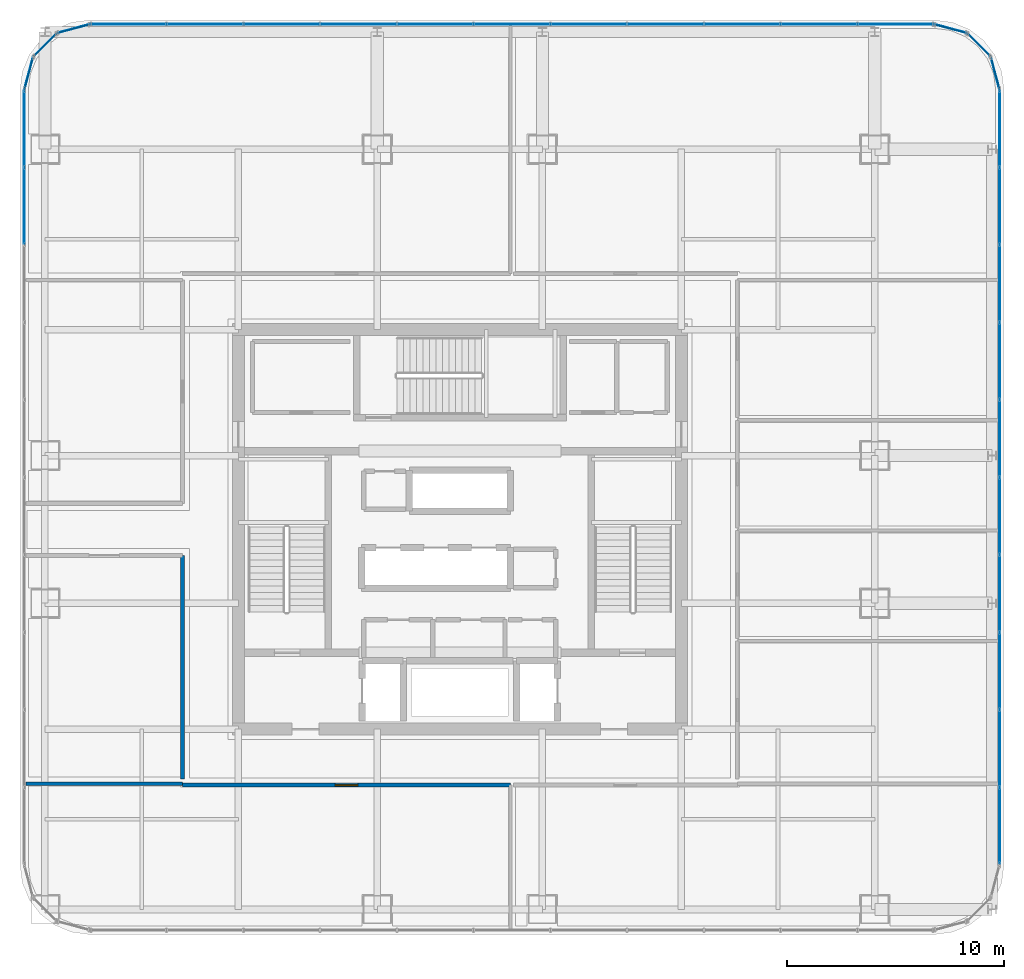
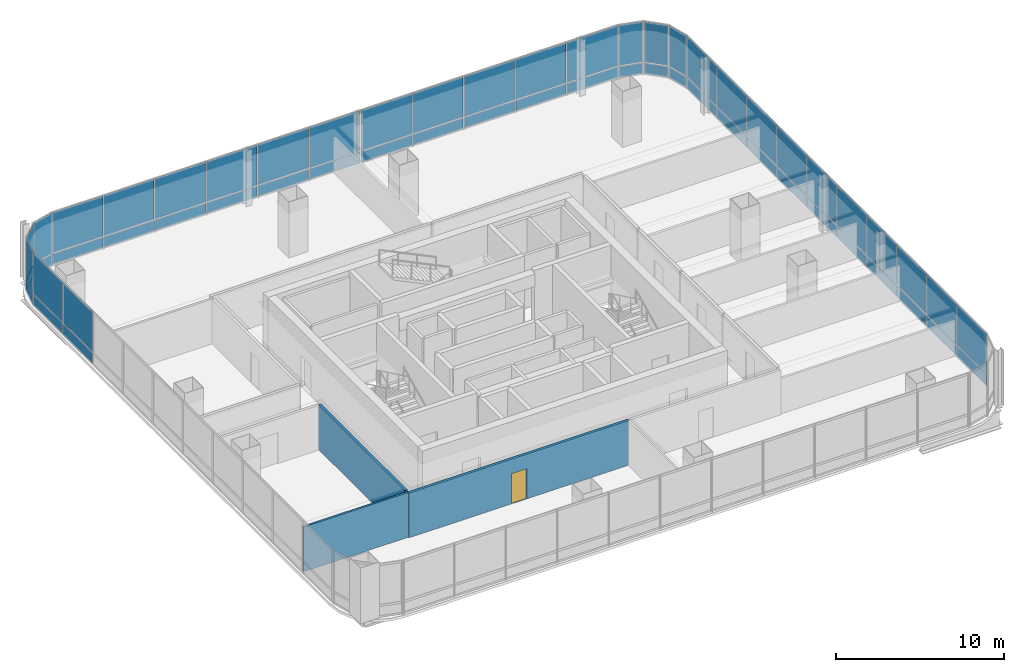
# One storey, part 32 of 39: 58 plates, 3 walls, 1 door, 1 opening, 9 elements without a shape of their own.
"""IFC4 building model written with IfcOpenShell, lengths in metres."""

from ifc_helpers import new_model, si_unit, direction, frame, frame_2d, origin, origin_2d, place, context, subcontext, project, spatial, rectangle, extrude, material, layer, layer_set, type_object, element, fill, aggregate, save


model = new_model("IFC4")

# Units and contexts
model_context = context("Model", 3, precision=1e-05, world=origin(), true_north=direction((0.0, 1.0)))
body_context = subcontext(model_context, "Body", "Model", "MODEL_VIEW")
ifc_project = project(units=[si_unit("LENGTHUNIT", "METRE"), si_unit("AREAUNIT", "SQUARE_METRE"), si_unit("VOLUMEUNIT", "CUBIC_METRE"), si_unit("PLANEANGLEUNIT", "RADIAN"), si_unit("MASSUNIT", "GRAM", prefix="KILO")], contexts=[model_context])

# Site, building, storey
site_placement = place(None, origin())
site = spatial("IfcSite", under=ifc_project, at=site_placement, CompositionType="ELEMENT")
building_placement = place(site_placement, origin())
building = spatial("IfcBuilding", under=site, at=building_placement, Name="Punatoya Terracotta Tower", CompositionType="ELEMENT")
storey_placement = place(building_placement, frame((0.0, 0.0, 275.699951171875)))
storey = spatial("IfcBuildingStorey", under=building, at=storey_placement, Name="L65", CompositionType="ELEMENT", Elevation=275.699951171875)

# Curtain wall, plates
ifc_material_1 = material(Name="Aluminium 6063-T6 + Double Low-E Glass", Category="aluminium")
curtain_wall_type = type_object("IfcCurtainWallType", Name="CW-M3", PredefinedType="NOTDEFINED", material=ifc_material_1)
curtain_wall_1_placement = place(storey_placement, origin())
curtain_wall_1 = element("IfcCurtainWall", 1, at=curtain_wall_1_placement, inside=storey, type_object=curtain_wall_type, Name="L65 Curtain Wall CW-L65-E05-1", PredefinedType="NOTDEFINED")
ifc_material_2 = material(Name="Double Low-E Acoustic Vision Glass", Category="glass")
ifc_layer_1 = layer(ifc_material_2, 0.031982421875)
ifc_layer_set_1 = layer_set([ifc_layer_1], Name="Double Low-E Acoustic Vision Glass")
plate_type_1 = type_object("IfcPlateType", Name="PLT-GLZ-32", PredefinedType="CURTAIN_PANEL", material=ifc_layer_set_1)
plate_1_placement = place(storey_placement, frame((24.85009765625, -13.6533203125, 0.89013671875), z_axis=(0.0, 0.0, 1.0), x_axis=(0.0, 1.0, 0.0)))
plate_1 = element("IfcPlate", 2, at=plate_1_placement, type_object=plate_type_1, Name="CW-L65-E05-1 Vision Glass Panel 1", PredefinedType="CURTAIN_PANEL", context=body_context, shape_type="SweptSolid", body=[
    extrude(rectangle(XDim=3.482421875, YDim=0.031982421875, at=origin_2d()), origin(), (0.0, 0.0, 1.0), 2.919921875),
])
plate_2_placement = place(storey_placement, frame((24.85009765625, -10.085693359375, 0.89013671875), z_axis=(0.0, 0.0, 1.0), x_axis=(0.0, 1.0, 0.0)))
plate_2 = element("IfcPlate", 3, at=plate_2_placement, type_object=plate_type_1, Name="CW-L65-E05-1 Vision Glass Panel 2", PredefinedType="CURTAIN_PANEL", context=body_context, shape_type="SweptSolid", body=[
    extrude(rectangle(XDim=3.482421875, YDim=0.031982421875, at=origin_2d()), origin(), (0.0, 0.0, 1.0), 2.919921875),
])
plate_3_placement = place(storey_placement, frame((24.85009765625, -6.518310546875, 0.89013671875), z_axis=(0.0, 0.0, 1.0), x_axis=(0.0, 1.0, 0.0)))
plate_3 = element("IfcPlate", 4, at=plate_3_placement, type_object=plate_type_1, Name="CW-L65-E05-1 Vision Glass Panel 3", PredefinedType="CURTAIN_PANEL", context=body_context, shape_type="SweptSolid", body=[
    extrude(rectangle(XDim=3.482421875, YDim=0.031982421875, at=origin_2d()), origin(), (0.0, 0.0, 1.0), 2.919921875),
])
plate_4_placement = place(storey_placement, frame((24.85009765625, -2.951171875, 0.89013671875), z_axis=(0.0, 0.0, 1.0), x_axis=(0.0, 1.0, 0.0)))
plate_4 = element("IfcPlate", 5, at=plate_4_placement, type_object=plate_type_1, Name="CW-L65-E05-1 Vision Glass Panel 4", PredefinedType="CURTAIN_PANEL", context=body_context, shape_type="SweptSolid", body=[
    extrude(rectangle(XDim=3.482421875, YDim=0.031982421875, at=origin_2d()), origin(), (0.0, 0.0, 1.0), 2.919921875),
])
plate_5_placement = place(storey_placement, frame((24.85009765625, 0.6162109375, 0.89013671875), z_axis=(0.0, 0.0, 1.0), x_axis=(0.0, 1.0, 0.0)))
plate_5 = element("IfcPlate", 6, at=plate_5_placement, type_object=plate_type_1, Name="CW-L65-E05-1 Vision Glass Panel 5", PredefinedType="CURTAIN_PANEL", context=body_context, shape_type="SweptSolid", body=[
    extrude(rectangle(XDim=3.482421875, YDim=0.031982421875, at=origin_2d()), origin(), (0.0, 0.0, 1.0), 2.919921875),
])
plate_6_placement = place(storey_placement, frame((24.85009765625, 4.18359375, 0.89013671875), z_axis=(0.0, 0.0, 1.0), x_axis=(0.0, 1.0, 0.0)))
plate_6 = element("IfcPlate", 7, at=plate_6_placement, type_object=plate_type_1, Name="CW-L65-E05-1 Vision Glass Panel 6", PredefinedType="CURTAIN_PANEL", context=body_context, shape_type="SweptSolid", body=[
    extrude(rectangle(XDim=3.482421875, YDim=0.031982421875, at=origin_2d()), origin(), (0.0, 0.0, 1.0), 2.919921875),
])
plate_7_placement = place(storey_placement, frame((24.85009765625, 7.751220703125, 0.89013671875), z_axis=(0.0, 0.0, 1.0), x_axis=(0.0, 1.0, 0.0)))
plate_7 = element("IfcPlate", 8, at=plate_7_placement, type_object=plate_type_1, Name="CW-L65-E05-1 Vision Glass Panel 7", PredefinedType="CURTAIN_PANEL", context=body_context, shape_type="SweptSolid", body=[
    extrude(rectangle(XDim=3.482421875, YDim=0.031982421875, at=origin_2d()), origin(), (0.0, 0.0, 1.0), 2.919921875),
])
plate_8_placement = place(storey_placement, frame((24.85009765625, 11.318359375, 0.89013671875), z_axis=(0.0, 0.0, 1.0), x_axis=(0.0, 1.0, 0.0)))
plate_8 = element("IfcPlate", 9, at=plate_8_placement, type_object=plate_type_1, Name="CW-L65-E05-1 Vision Glass Panel 8", PredefinedType="CURTAIN_PANEL", context=body_context, shape_type="SweptSolid", body=[
    extrude(rectangle(XDim=3.482421875, YDim=0.031982421875, at=origin_2d()), origin(), (0.0, 0.0, 1.0), 2.919921875),
])
plate_9_placement = place(storey_placement, frame((24.85009765625, 14.8857421875, 0.89013671875), z_axis=(0.0, 0.0, 1.0), x_axis=(0.0, 1.0, 0.0)))
plate_9 = element("IfcPlate", 10, at=plate_9_placement, type_object=plate_type_1, Name="CW-L65-E05-1 Vision Glass Panel 9", PredefinedType="CURTAIN_PANEL", context=body_context, shape_type="SweptSolid", body=[
    extrude(rectangle(XDim=3.482421875, YDim=0.031982421875, at=origin_2d()), origin(), (0.0, 0.0, 1.0), 2.919921875),
])
plate_10_placement = place(storey_placement, frame((24.85009765625, 18.453125, 0.89013671875), z_axis=(0.0, 0.0, 1.0), x_axis=(0.0, 1.0, 0.0)))
plate_10 = element("IfcPlate", 11, at=plate_10_placement, type_object=plate_type_1, Name="CW-L65-E05-1 Vision Glass Panel 10", PredefinedType="CURTAIN_PANEL", context=body_context, shape_type="SweptSolid", body=[
    extrude(rectangle(XDim=3.482421875, YDim=0.031982421875, at=origin_2d()), origin(), (0.0, 0.0, 1.0), 2.919921875),
])

# Curtain wall, plate
curtain_wall_2_placement = place(storey_placement, origin())
curtain_wall_2 = element("IfcCurtainWall", 12, at=curtain_wall_2_placement, inside=storey, type_object=curtain_wall_type, Name="L65 Curtain Wall CW-L65-CRN06", PredefinedType="NOTDEFINED")
plate_11_placement = place(storey_placement, frame((24.648193359375, 20.992919921875, 0.89013671875), z_axis=(0.0, 0.0, 1.0), x_axis=(-0.257741620719, 0.966213877436, 0.0)))
plate_11 = element("IfcPlate", 13, at=plate_11_placement, type_object=plate_type_1, Name="CW-L65-CRN06 Vision Glass Panel 1", PredefinedType="CURTAIN_PANEL", context=body_context, shape_type="SweptSolid", body=[
    extrude(rectangle(XDim=1.47998046875, YDim=0.031982421875, at=origin_2d()), origin(), (0.0, 0.0, 1.0), 2.919921875),
])

curtain_wall_3_placement = place(storey_placement, origin())
curtain_wall_3 = element("IfcCurtainWall", 14, at=curtain_wall_3_placement, inside=storey, type_object=curtain_wall_type, Name="L65 Curtain Wall CW-L65-CRN07", PredefinedType="NOTDEFINED")
plate_12_placement = place(storey_placement, frame((23.89794921875, 22.2978515625, 0.89013671875), z_axis=(0.0, 0.0, 1.0), x_axis=(-0.707106781187, 0.707106781187, 0.0)))
plate_12 = element("IfcPlate", 15, at=plate_12_placement, type_object=plate_type_1, Name="CW-L65-CRN07 Vision Glass Panel 1", PredefinedType="CURTAIN_PANEL", context=body_context, shape_type="SweptSolid", body=[
    extrude(rectangle(XDim=1.467041015625, YDim=0.031982421875, at=origin_2d()), origin(), (0.0, 0.0, 1.0), 2.919921875),
])

curtain_wall_4_placement = place(storey_placement, origin())
curtain_wall_4 = element("IfcCurtainWall", 16, at=curtain_wall_4_placement, inside=storey, type_object=curtain_wall_type, Name="L65 Curtain Wall CW-L65-CRN08", PredefinedType="NOTDEFINED")
plate_13_placement = place(storey_placement, frame((22.593017578125, 23.04833984375, 0.89013671875), z_axis=(0.0, 0.0, 1.0), x_axis=(-0.966213877436, 0.257741620719, 0.0)))
plate_13 = element("IfcPlate", 17, at=plate_13_placement, type_object=plate_type_1, Name="CW-L65-CRN08 Vision Glass Panel 1", PredefinedType="CURTAIN_PANEL", context=body_context, shape_type="SweptSolid", body=[
    extrude(rectangle(XDim=1.47998046875, YDim=0.031982421875, at=origin_2d()), origin(), (0.0, 0.0, 1.0), 2.919921875),
])

# Curtain wall, plates
curtain_wall_5_placement = place(storey_placement, origin())
curtain_wall_5 = element("IfcCurtainWall", 18, at=curtain_wall_5_placement, inside=storey, type_object=curtain_wall_type, Name="L65 Curtain Wall CW-L65-N09-1", PredefinedType="NOTDEFINED")
plate_14_placement = place(storey_placement, frame((20.06982421875, 23.25, 0.89013671875), z_axis=(0.0, 0.0, 1.0), x_axis=(-1.0, 0.0, 0.0)))
plate_14 = element("IfcPlate", 19, at=plate_14_placement, type_object=plate_type_1, Name="CW-L65-N09-1 Vision Glass Panel 1", PredefinedType="CURTAIN_PANEL", context=body_context, shape_type="SweptSolid", body=[
    extrude(rectangle(XDim=3.448974609375, YDim=0.031982421875, at=origin_2d()), origin(), (0.0, 0.0, 1.0), 2.919921875),
])
plate_15_placement = place(storey_placement, frame((16.535888671875, 23.25, 0.89013671875), z_axis=(0.0, 0.0, 1.0), x_axis=(-1.0, 0.0, 0.0)))
plate_15 = element("IfcPlate", 20, at=plate_15_placement, type_object=plate_type_1, Name="CW-L65-N09-1 Vision Glass Panel 2", PredefinedType="CURTAIN_PANEL", context=body_context, shape_type="SweptSolid", body=[
    extrude(rectangle(XDim=3.448974609375, YDim=0.031982421875, at=origin_2d()), origin(), (0.0, 0.0, 1.0), 2.919921875),
])
plate_16_placement = place(storey_placement, frame((13.001953125, 23.25, 0.89013671875), z_axis=(0.0, 0.0, 1.0), x_axis=(-1.0, 0.0, 0.0)))
plate_16 = element("IfcPlate", 21, at=plate_16_placement, type_object=plate_type_1, Name="CW-L65-N09-1 Vision Glass Panel 3", PredefinedType="CURTAIN_PANEL", context=body_context, shape_type="SweptSolid", body=[
    extrude(rectangle(XDim=3.448974609375, YDim=0.031982421875, at=origin_2d()), origin(), (0.0, 0.0, 1.0), 2.919921875),
])
plate_17_placement = place(storey_placement, frame((9.468017578125, 23.25, 0.89013671875), z_axis=(0.0, 0.0, 1.0), x_axis=(-1.0, 0.0, 0.0)))
plate_17 = element("IfcPlate", 22, at=plate_17_placement, type_object=plate_type_1, Name="CW-L65-N09-1 Vision Glass Panel 4", PredefinedType="CURTAIN_PANEL", context=body_context, shape_type="SweptSolid", body=[
    extrude(rectangle(XDim=3.448974609375, YDim=0.031982421875, at=origin_2d()), origin(), (0.0, 0.0, 1.0), 2.919921875),
])
plate_18_placement = place(storey_placement, frame((5.93408203125, 23.25, 0.89013671875), z_axis=(0.0, 0.0, 1.0), x_axis=(-1.0, 0.0, 0.0)))
plate_18 = element("IfcPlate", 23, at=plate_18_placement, type_object=plate_type_1, Name="CW-L65-N09-1 Vision Glass Panel 5", PredefinedType="CURTAIN_PANEL", context=body_context, shape_type="SweptSolid", body=[
    extrude(rectangle(XDim=3.448974609375, YDim=0.031982421875, at=origin_2d()), origin(), (0.0, 0.0, 1.0), 2.919921875),
])
plate_19_placement = place(storey_placement, frame((2.39990234375, 23.25, 0.89013671875), z_axis=(0.0, 0.0, 1.0), x_axis=(-1.0, 0.0, 0.0)))
plate_19 = element("IfcPlate", 24, at=plate_19_placement, type_object=plate_type_1, Name="CW-L65-N09-1 Vision Glass Panel 6", PredefinedType="CURTAIN_PANEL", context=body_context, shape_type="SweptSolid", body=[
    extrude(rectangle(XDim=3.448974609375, YDim=0.031982421875, at=origin_2d()), origin(), (0.0, 0.0, 1.0), 2.919921875),
])
plate_20_placement = place(storey_placement, frame((-1.134033203125, 23.25, 0.89013671875), z_axis=(0.0, 0.0, 1.0), x_axis=(-1.0, 0.0, 0.0)))
plate_20 = element("IfcPlate", 25, at=plate_20_placement, type_object=plate_type_1, Name="CW-L65-N09-1 Vision Glass Panel 7", PredefinedType="CURTAIN_PANEL", context=body_context, shape_type="SweptSolid", body=[
    extrude(rectangle(XDim=3.448974609375, YDim=0.031982421875, at=origin_2d()), origin(), (0.0, 0.0, 1.0), 2.919921875),
])
plate_21_placement = place(storey_placement, frame((-4.66796875, 23.25, 0.89013671875), z_axis=(0.0, 0.0, 1.0), x_axis=(-1.0, 0.0, 0.0)))
plate_21 = element("IfcPlate", 26, at=plate_21_placement, type_object=plate_type_1, Name="CW-L65-N09-1 Vision Glass Panel 8", PredefinedType="CURTAIN_PANEL", context=body_context, shape_type="SweptSolid", body=[
    extrude(rectangle(XDim=3.448974609375, YDim=0.031982421875, at=origin_2d()), origin(), (0.0, 0.0, 1.0), 2.919921875),
])
plate_22_placement = place(storey_placement, frame((-8.201904296875, 23.25, 0.89013671875), z_axis=(0.0, 0.0, 1.0), x_axis=(-1.0, 0.0, 0.0)))
plate_22 = element("IfcPlate", 27, at=plate_22_placement, type_object=plate_type_1, Name="CW-L65-N09-1 Vision Glass Panel 9", PredefinedType="CURTAIN_PANEL", context=body_context, shape_type="SweptSolid", body=[
    extrude(rectangle(XDim=3.448974609375, YDim=0.031982421875, at=origin_2d()), origin(), (0.0, 0.0, 1.0), 2.919921875),
])
plate_23_placement = place(storey_placement, frame((-11.73583984375, 23.25, 0.89013671875), z_axis=(0.0, 0.0, 1.0), x_axis=(-1.0, 0.0, 0.0)))
plate_23 = element("IfcPlate", 28, at=plate_23_placement, type_object=plate_type_1, Name="CW-L65-N09-1 Vision Glass Panel 10", PredefinedType="CURTAIN_PANEL", context=body_context, shape_type="SweptSolid", body=[
    extrude(rectangle(XDim=3.448974609375, YDim=0.031982421875, at=origin_2d()), origin(), (0.0, 0.0, 1.0), 2.919921875),
])
plate_24_placement = place(storey_placement, frame((-15.27001953125, 23.25, 0.89013671875), z_axis=(0.0, 0.0, 1.0), x_axis=(-1.0, 0.0, 0.0)))
plate_24 = element("IfcPlate", 29, at=plate_24_placement, type_object=plate_type_1, Name="CW-L65-N09-1 Vision Glass Panel 11", PredefinedType="CURTAIN_PANEL", context=body_context, shape_type="SweptSolid", body=[
    extrude(rectangle(XDim=3.448974609375, YDim=0.031982421875, at=origin_2d()), origin(), (0.0, 0.0, 1.0), 2.919921875),
])

# Curtain wall, plate
curtain_wall_6_placement = place(storey_placement, origin())
curtain_wall_6 = element("IfcCurtainWall", 30, at=curtain_wall_6_placement, inside=storey, type_object=curtain_wall_type, Name="L65 Curtain Wall CW-L65-CRN10", PredefinedType="NOTDEFINED")
plate_25_placement = place(storey_placement, frame((-17.79296875, 23.04833984375, 0.89013671875), z_axis=(0.0, 0.0, 1.0), x_axis=(-0.966213877436, -0.257741620719, 0.0)))
plate_25 = element("IfcPlate", 31, at=plate_25_placement, type_object=plate_type_1, Name="CW-L65-CRN10 Vision Glass Panel 1", PredefinedType="CURTAIN_PANEL", context=body_context, shape_type="SweptSolid", body=[
    extrude(rectangle(XDim=1.47998046875, YDim=0.031982421875, at=origin_2d()), origin(), (0.0, 0.0, 1.0), 2.919921875),
])

curtain_wall_7_placement = place(storey_placement, origin())
curtain_wall_7 = element("IfcCurtainWall", 32, at=curtain_wall_7_placement, inside=storey, type_object=curtain_wall_type, Name="L65 Curtain Wall CW-L65-CRN11", PredefinedType="NOTDEFINED")
plate_26_placement = place(storey_placement, frame((-19.097900390625, 22.2978515625, 0.89013671875), z_axis=(0.0, 0.0, 1.0), x_axis=(-0.707106781187, -0.707106781187, 0.0)))
plate_26 = element("IfcPlate", 33, at=plate_26_placement, type_object=plate_type_1, Name="CW-L65-CRN11 Vision Glass Panel 1", PredefinedType="CURTAIN_PANEL", context=body_context, shape_type="SweptSolid", body=[
    extrude(rectangle(XDim=1.467041015625, YDim=0.031982421875, at=origin_2d()), origin(), (0.0, 0.0, 1.0), 2.919921875),
])

curtain_wall_8_placement = place(storey_placement, origin())
curtain_wall_8 = element("IfcCurtainWall", 34, at=curtain_wall_8_placement, inside=storey, type_object=curtain_wall_type, Name="L65 Curtain Wall CW-L65-CRN12", PredefinedType="NOTDEFINED")
plate_27_placement = place(storey_placement, frame((-19.848388671875, 20.992919921875, 0.89013671875), z_axis=(0.0, 0.0, 1.0), x_axis=(-0.257741620719, -0.966213877436, 0.0)))
plate_27 = element("IfcPlate", 35, at=plate_27_placement, type_object=plate_type_1, Name="CW-L65-CRN12 Vision Glass Panel 1", PredefinedType="CURTAIN_PANEL", context=body_context, shape_type="SweptSolid", body=[
    extrude(rectangle(XDim=1.47998046875, YDim=0.031982421875, at=origin_2d()), origin(), (0.0, 0.0, 1.0), 2.919921875),
])

# Curtain wall, plates
curtain_wall_9_placement = place(storey_placement, origin())
curtain_wall_9 = element("IfcCurtainWall", 36, at=curtain_wall_9_placement, inside=storey, type_object=curtain_wall_type, Name="L65 Curtain Wall CW-L65-W13-1", PredefinedType="NOTDEFINED")
plate_28_placement = place(storey_placement, frame((-20.050048828125, 18.453125, 0.89013671875), z_axis=(0.0, 0.0, 1.0), x_axis=(0.0, -1.0, 0.0)))
plate_28 = element("IfcPlate", 37, at=plate_28_placement, type_object=plate_type_1, Name="CW-L65-W13-1 Vision Glass Panel 1", PredefinedType="CURTAIN_PANEL", context=body_context, shape_type="SweptSolid", body=[
    extrude(rectangle(XDim=3.482421875, YDim=0.031982421875, at=origin_2d()), origin(), (0.0, 0.0, 1.0), 2.919921875),
])
plate_29_placement = place(storey_placement, frame((-20.050048828125, 14.8857421875, 0.89013671875), z_axis=(0.0, 0.0, 1.0), x_axis=(0.0, -1.0, 0.0)))
plate_29 = element("IfcPlate", 38, at=plate_29_placement, type_object=plate_type_1, Name="CW-L65-W13-1 Vision Glass Panel 2", PredefinedType="CURTAIN_PANEL", context=body_context, shape_type="SweptSolid", body=[
    extrude(rectangle(XDim=3.482421875, YDim=0.031982421875, at=origin_2d()), origin(), (0.0, 0.0, 1.0), 2.919921875),
])

# Plate
ifc_material_3 = material(Name="Insulated Terracotta-Backed Spandrel Panel", Category="masonry")
ifc_layer_2 = layer(ifc_material_3, 0.044921875)
ifc_layer_set_2 = layer_set([ifc_layer_2], Name="Insulated Terracotta-Backed Spandrel Panel")
plate_type_2 = type_object("IfcPlateType", Name="PLT-SPN-45", PredefinedType="CURTAIN_PANEL", material=ifc_layer_set_2)
plate_30_placement = place(storey_placement, frame((24.85009765625, -13.6533203125, 0.0400390625), z_axis=(0.0, 0.0, 1.0), x_axis=(0.0, 1.0, 0.0)))
plate_30 = element("IfcPlate", 39, at=plate_30_placement, type_object=plate_type_2, Name="CW-L65-E05-1 Terracotta Spandrel Panel 1", PredefinedType="CURTAIN_PANEL", context=body_context, shape_type="SweptSolid", body=[
    extrude(rectangle(XDim=3.482421875, YDim=0.044921875, at=origin_2d()), origin(), (0.0, 0.0, 1.0), 0.77490234375),
])

plate_31_placement = place(storey_placement, frame((24.85009765625, -10.085693359375, 0.0400390625), z_axis=(0.0, 0.0, 1.0), x_axis=(0.0, 1.0, 0.0)))
plate_31 = element("IfcPlate", 40, at=plate_31_placement, type_object=plate_type_2, Name="CW-L65-E05-1 Terracotta Spandrel Panel 2", PredefinedType="CURTAIN_PANEL", context=body_context, shape_type="SweptSolid", body=[
    extrude(rectangle(XDim=3.482421875, YDim=0.044921875, at=origin_2d()), origin(), (0.0, 0.0, 1.0), 0.77490234375),
])

plate_32_placement = place(storey_placement, frame((24.85009765625, -6.518310546875, 0.0400390625), z_axis=(0.0, 0.0, 1.0), x_axis=(0.0, 1.0, 0.0)))
plate_32 = element("IfcPlate", 41, at=plate_32_placement, type_object=plate_type_2, Name="CW-L65-E05-1 Terracotta Spandrel Panel 3", PredefinedType="CURTAIN_PANEL", context=body_context, shape_type="SweptSolid", body=[
    extrude(rectangle(XDim=3.482421875, YDim=0.044921875, at=origin_2d()), origin(), (0.0, 0.0, 1.0), 0.77490234375),
])

plate_33_placement = place(storey_placement, frame((24.85009765625, -2.951171875, 0.0400390625), z_axis=(0.0, 0.0, 1.0), x_axis=(0.0, 1.0, 0.0)))
plate_33 = element("IfcPlate", 42, at=plate_33_placement, type_object=plate_type_2, Name="CW-L65-E05-1 Terracotta Spandrel Panel 4", PredefinedType="CURTAIN_PANEL", context=body_context, shape_type="SweptSolid", body=[
    extrude(rectangle(XDim=3.482421875, YDim=0.044921875, at=origin_2d()), origin(), (0.0, 0.0, 1.0), 0.77490234375),
])

plate_34_placement = place(storey_placement, frame((24.85009765625, 0.6162109375, 0.0400390625), z_axis=(0.0, 0.0, 1.0), x_axis=(0.0, 1.0, 0.0)))
plate_34 = element("IfcPlate", 43, at=plate_34_placement, type_object=plate_type_2, Name="CW-L65-E05-1 Terracotta Spandrel Panel 5", PredefinedType="CURTAIN_PANEL", context=body_context, shape_type="SweptSolid", body=[
    extrude(rectangle(XDim=3.482421875, YDim=0.044921875, at=origin_2d()), origin(), (0.0, 0.0, 1.0), 0.77490234375),
])

plate_35_placement = place(storey_placement, frame((24.85009765625, 4.18359375, 0.0400390625), z_axis=(0.0, 0.0, 1.0), x_axis=(0.0, 1.0, 0.0)))
plate_35 = element("IfcPlate", 44, at=plate_35_placement, type_object=plate_type_2, Name="CW-L65-E05-1 Terracotta Spandrel Panel 6", PredefinedType="CURTAIN_PANEL", context=body_context, shape_type="SweptSolid", body=[
    extrude(rectangle(XDim=3.482421875, YDim=0.044921875, at=origin_2d()), origin(), (0.0, 0.0, 1.0), 0.77490234375),
])

plate_36_placement = place(storey_placement, frame((24.85009765625, 7.751220703125, 0.0400390625), z_axis=(0.0, 0.0, 1.0), x_axis=(0.0, 1.0, 0.0)))
plate_36 = element("IfcPlate", 45, at=plate_36_placement, type_object=plate_type_2, Name="CW-L65-E05-1 Terracotta Spandrel Panel 7", PredefinedType="CURTAIN_PANEL", context=body_context, shape_type="SweptSolid", body=[
    extrude(rectangle(XDim=3.482421875, YDim=0.044921875, at=origin_2d()), origin(), (0.0, 0.0, 1.0), 0.77490234375),
])

plate_37_placement = place(storey_placement, frame((24.85009765625, 11.318359375, 0.0400390625), z_axis=(0.0, 0.0, 1.0), x_axis=(0.0, 1.0, 0.0)))
plate_37 = element("IfcPlate", 46, at=plate_37_placement, type_object=plate_type_2, Name="CW-L65-E05-1 Terracotta Spandrel Panel 8", PredefinedType="CURTAIN_PANEL", context=body_context, shape_type="SweptSolid", body=[
    extrude(rectangle(XDim=3.482421875, YDim=0.044921875, at=origin_2d()), origin(), (0.0, 0.0, 1.0), 0.77490234375),
])

plate_38_placement = place(storey_placement, frame((24.85009765625, 14.8857421875, 0.0400390625), z_axis=(0.0, 0.0, 1.0), x_axis=(0.0, 1.0, 0.0)))
plate_38 = element("IfcPlate", 47, at=plate_38_placement, type_object=plate_type_2, Name="CW-L65-E05-1 Terracotta Spandrel Panel 9", PredefinedType="CURTAIN_PANEL", context=body_context, shape_type="SweptSolid", body=[
    extrude(rectangle(XDim=3.482421875, YDim=0.044921875, at=origin_2d()), origin(), (0.0, 0.0, 1.0), 0.77490234375),
])

plate_39_placement = place(storey_placement, frame((24.85009765625, 18.453125, 0.0400390625), z_axis=(0.0, 0.0, 1.0), x_axis=(0.0, 1.0, 0.0)))
plate_39 = element("IfcPlate", 48, at=plate_39_placement, type_object=plate_type_2, Name="CW-L65-E05-1 Terracotta Spandrel Panel 10", PredefinedType="CURTAIN_PANEL", context=body_context, shape_type="SweptSolid", body=[
    extrude(rectangle(XDim=3.482421875, YDim=0.044921875, at=origin_2d()), origin(), (0.0, 0.0, 1.0), 0.77490234375),
])

aggregate(curtain_wall_1, [plate_30, plate_1, plate_31, plate_2, plate_32, plate_3, plate_33, plate_4, plate_34, plate_5, plate_35, plate_6, plate_36, plate_7, plate_37, plate_8, plate_38, plate_9, plate_39, plate_10])

plate_40_placement = place(storey_placement, frame((24.648193359375, 20.992919921875, 0.0400390625), z_axis=(0.0, 0.0, 1.0), x_axis=(-0.257741620719, 0.966213877436, 0.0)))
plate_40 = element("IfcPlate", 49, at=plate_40_placement, type_object=plate_type_2, Name="CW-L65-CRN06 Terracotta Spandrel Panel 1", PredefinedType="CURTAIN_PANEL", context=body_context, shape_type="SweptSolid", body=[
    extrude(rectangle(XDim=1.47998046875, YDim=0.044921875, at=origin_2d()), origin(), (0.0, 0.0, 1.0), 0.77490234375),
])

aggregate(curtain_wall_2, [plate_40, plate_11])

plate_41_placement = place(storey_placement, frame((23.89794921875, 22.2978515625, 0.0400390625), z_axis=(0.0, 0.0, 1.0), x_axis=(-0.707106781187, 0.707106781187, 0.0)))
plate_41 = element("IfcPlate", 50, at=plate_41_placement, type_object=plate_type_2, Name="CW-L65-CRN07 Terracotta Spandrel Panel 1", PredefinedType="CURTAIN_PANEL", context=body_context, shape_type="SweptSolid", body=[
    extrude(rectangle(XDim=1.467041015625, YDim=0.044921875, at=origin_2d()), origin(), (0.0, 0.0, 1.0), 0.77490234375),
])

aggregate(curtain_wall_3, [plate_41, plate_12])

plate_42_placement = place(storey_placement, frame((22.593017578125, 23.04833984375, 0.0400390625), z_axis=(0.0, 0.0, 1.0), x_axis=(-0.966213877436, 0.257741620719, 0.0)))
plate_42 = element("IfcPlate", 51, at=plate_42_placement, type_object=plate_type_2, Name="CW-L65-CRN08 Terracotta Spandrel Panel 1", PredefinedType="CURTAIN_PANEL", context=body_context, shape_type="SweptSolid", body=[
    extrude(rectangle(XDim=1.47998046875, YDim=0.044921875, at=origin_2d()), origin(), (0.0, 0.0, 1.0), 0.77490234375),
])

aggregate(curtain_wall_4, [plate_42, plate_13])

plate_43_placement = place(storey_placement, frame((20.06982421875, 23.25, 0.0400390625), z_axis=(0.0, 0.0, 1.0), x_axis=(-1.0, 0.0, 0.0)))
plate_43 = element("IfcPlate", 52, at=plate_43_placement, type_object=plate_type_2, Name="CW-L65-N09-1 Terracotta Spandrel Panel 1", PredefinedType="CURTAIN_PANEL", context=body_context, shape_type="SweptSolid", body=[
    extrude(rectangle(XDim=3.448974609375, YDim=0.044921875, at=origin_2d()), origin(), (0.0, 0.0, 1.0), 0.77490234375),
])

plate_44_placement = place(storey_placement, frame((16.535888671875, 23.25, 0.0400390625), z_axis=(0.0, 0.0, 1.0), x_axis=(-1.0, 0.0, 0.0)))
plate_44 = element("IfcPlate", 53, at=plate_44_placement, type_object=plate_type_2, Name="CW-L65-N09-1 Terracotta Spandrel Panel 2", PredefinedType="CURTAIN_PANEL", context=body_context, shape_type="SweptSolid", body=[
    extrude(rectangle(XDim=3.448974609375, YDim=0.044921875, at=origin_2d()), origin(), (0.0, 0.0, 1.0), 0.77490234375),
])

plate_45_placement = place(storey_placement, frame((13.001953125, 23.25, 0.0400390625), z_axis=(0.0, 0.0, 1.0), x_axis=(-1.0, 0.0, 0.0)))
plate_45 = element("IfcPlate", 54, at=plate_45_placement, type_object=plate_type_2, Name="CW-L65-N09-1 Terracotta Spandrel Panel 3", PredefinedType="CURTAIN_PANEL", context=body_context, shape_type="SweptSolid", body=[
    extrude(rectangle(XDim=3.448974609375, YDim=0.044921875, at=origin_2d()), origin(), (0.0, 0.0, 1.0), 0.77490234375),
])

plate_46_placement = place(storey_placement, frame((9.468017578125, 23.25, 0.0400390625), z_axis=(0.0, 0.0, 1.0), x_axis=(-1.0, 0.0, 0.0)))
plate_46 = element("IfcPlate", 55, at=plate_46_placement, type_object=plate_type_2, Name="CW-L65-N09-1 Terracotta Spandrel Panel 4", PredefinedType="CURTAIN_PANEL", context=body_context, shape_type="SweptSolid", body=[
    extrude(rectangle(XDim=3.448974609375, YDim=0.044921875, at=origin_2d()), origin(), (0.0, 0.0, 1.0), 0.77490234375),
])

plate_47_placement = place(storey_placement, frame((5.93408203125, 23.25, 0.0400390625), z_axis=(0.0, 0.0, 1.0), x_axis=(-1.0, 0.0, 0.0)))
plate_47 = element("IfcPlate", 56, at=plate_47_placement, type_object=plate_type_2, Name="CW-L65-N09-1 Terracotta Spandrel Panel 5", PredefinedType="CURTAIN_PANEL", context=body_context, shape_type="SweptSolid", body=[
    extrude(rectangle(XDim=3.448974609375, YDim=0.044921875, at=origin_2d()), origin(), (0.0, 0.0, 1.0), 0.77490234375),
])

plate_48_placement = place(storey_placement, frame((2.39990234375, 23.25, 0.0400390625), z_axis=(0.0, 0.0, 1.0), x_axis=(-1.0, 0.0, 0.0)))
plate_48 = element("IfcPlate", 57, at=plate_48_placement, type_object=plate_type_2, Name="CW-L65-N09-1 Terracotta Spandrel Panel 6", PredefinedType="CURTAIN_PANEL", context=body_context, shape_type="SweptSolid", body=[
    extrude(rectangle(XDim=3.448974609375, YDim=0.044921875, at=origin_2d()), origin(), (0.0, 0.0, 1.0), 0.77490234375),
])

plate_49_placement = place(storey_placement, frame((-1.134033203125, 23.25, 0.0400390625), z_axis=(0.0, 0.0, 1.0), x_axis=(-1.0, 0.0, 0.0)))
plate_49 = element("IfcPlate", 58, at=plate_49_placement, type_object=plate_type_2, Name="CW-L65-N09-1 Terracotta Spandrel Panel 7", PredefinedType="CURTAIN_PANEL", context=body_context, shape_type="SweptSolid", body=[
    extrude(rectangle(XDim=3.448974609375, YDim=0.044921875, at=origin_2d()), origin(), (0.0, 0.0, 1.0), 0.77490234375),
])

plate_50_placement = place(storey_placement, frame((-4.66796875, 23.25, 0.0400390625), z_axis=(0.0, 0.0, 1.0), x_axis=(-1.0, 0.0, 0.0)))
plate_50 = element("IfcPlate", 59, at=plate_50_placement, type_object=plate_type_2, Name="CW-L65-N09-1 Terracotta Spandrel Panel 8", PredefinedType="CURTAIN_PANEL", context=body_context, shape_type="SweptSolid", body=[
    extrude(rectangle(XDim=3.448974609375, YDim=0.044921875, at=origin_2d()), origin(), (0.0, 0.0, 1.0), 0.77490234375),
])

plate_51_placement = place(storey_placement, frame((-8.201904296875, 23.25, 0.0400390625), z_axis=(0.0, 0.0, 1.0), x_axis=(-1.0, 0.0, 0.0)))
plate_51 = element("IfcPlate", 60, at=plate_51_placement, type_object=plate_type_2, Name="CW-L65-N09-1 Terracotta Spandrel Panel 9", PredefinedType="CURTAIN_PANEL", context=body_context, shape_type="SweptSolid", body=[
    extrude(rectangle(XDim=3.448974609375, YDim=0.044921875, at=origin_2d()), origin(), (0.0, 0.0, 1.0), 0.77490234375),
])

plate_52_placement = place(storey_placement, frame((-11.73583984375, 23.25, 0.0400390625), z_axis=(0.0, 0.0, 1.0), x_axis=(-1.0, 0.0, 0.0)))
plate_52 = element("IfcPlate", 61, at=plate_52_placement, type_object=plate_type_2, Name="CW-L65-N09-1 Terracotta Spandrel Panel 10", PredefinedType="CURTAIN_PANEL", context=body_context, shape_type="SweptSolid", body=[
    extrude(rectangle(XDim=3.448974609375, YDim=0.044921875, at=origin_2d()), origin(), (0.0, 0.0, 1.0), 0.77490234375),
])

plate_53_placement = place(storey_placement, frame((-15.27001953125, 23.25, 0.0400390625), z_axis=(0.0, 0.0, 1.0), x_axis=(-1.0, 0.0, 0.0)))
plate_53 = element("IfcPlate", 62, at=plate_53_placement, type_object=plate_type_2, Name="CW-L65-N09-1 Terracotta Spandrel Panel 11", PredefinedType="CURTAIN_PANEL", context=body_context, shape_type="SweptSolid", body=[
    extrude(rectangle(XDim=3.448974609375, YDim=0.044921875, at=origin_2d()), origin(), (0.0, 0.0, 1.0), 0.77490234375),
])

aggregate(curtain_wall_5, [plate_43, plate_14, plate_44, plate_15, plate_45, plate_16, plate_46, plate_17, plate_47, plate_18, plate_48, plate_19, plate_49, plate_20, plate_50, plate_21, plate_51, plate_22, plate_52, plate_23, plate_53, plate_24])

plate_54_placement = place(storey_placement, frame((-17.79296875, 23.04833984375, 0.0400390625), z_axis=(0.0, 0.0, 1.0), x_axis=(-0.966213877436, -0.257741620719, 0.0)))
plate_54 = element("IfcPlate", 63, at=plate_54_placement, type_object=plate_type_2, Name="CW-L65-CRN10 Terracotta Spandrel Panel 1", PredefinedType="CURTAIN_PANEL", context=body_context, shape_type="SweptSolid", body=[
    extrude(rectangle(XDim=1.47998046875, YDim=0.044921875, at=origin_2d()), origin(), (0.0, 0.0, 1.0), 0.77490234375),
])

aggregate(curtain_wall_6, [plate_54, plate_25])

plate_55_placement = place(storey_placement, frame((-19.097900390625, 22.2978515625, 0.0400390625), z_axis=(0.0, 0.0, 1.0), x_axis=(-0.707106781187, -0.707106781187, 0.0)))
plate_55 = element("IfcPlate", 64, at=plate_55_placement, type_object=plate_type_2, Name="CW-L65-CRN11 Terracotta Spandrel Panel 1", PredefinedType="CURTAIN_PANEL", context=body_context, shape_type="SweptSolid", body=[
    extrude(rectangle(XDim=1.467041015625, YDim=0.044921875, at=origin_2d()), origin(), (0.0, 0.0, 1.0), 0.77490234375),
])

aggregate(curtain_wall_7, [plate_55, plate_26])

plate_56_placement = place(storey_placement, frame((-19.848388671875, 20.992919921875, 0.0400390625), z_axis=(0.0, 0.0, 1.0), x_axis=(-0.257741620719, -0.966213877436, 0.0)))
plate_56 = element("IfcPlate", 65, at=plate_56_placement, type_object=plate_type_2, Name="CW-L65-CRN12 Terracotta Spandrel Panel 1", PredefinedType="CURTAIN_PANEL", context=body_context, shape_type="SweptSolid", body=[
    extrude(rectangle(XDim=1.47998046875, YDim=0.044921875, at=origin_2d()), origin(), (0.0, 0.0, 1.0), 0.77490234375),
])

aggregate(curtain_wall_8, [plate_56, plate_27])

plate_57_placement = place(storey_placement, frame((-20.050048828125, 18.453125, 0.0400390625), z_axis=(0.0, 0.0, 1.0), x_axis=(0.0, -1.0, 0.0)))
plate_57 = element("IfcPlate", 66, at=plate_57_placement, type_object=plate_type_2, Name="CW-L65-W13-1 Terracotta Spandrel Panel 1", PredefinedType="CURTAIN_PANEL", context=body_context, shape_type="SweptSolid", body=[
    extrude(rectangle(XDim=3.482421875, YDim=0.044921875, at=origin_2d()), origin(), (0.0, 0.0, 1.0), 0.77490234375),
])

plate_58_placement = place(storey_placement, frame((-20.050048828125, 14.8857421875, 0.0400390625), z_axis=(0.0, 0.0, 1.0), x_axis=(0.0, -1.0, 0.0)))
plate_58 = element("IfcPlate", 67, at=plate_58_placement, type_object=plate_type_2, Name="CW-L65-W13-1 Terracotta Spandrel Panel 2", PredefinedType="CURTAIN_PANEL", context=body_context, shape_type="SweptSolid", body=[
    extrude(rectangle(XDim=3.482421875, YDim=0.044921875, at=origin_2d()), origin(), (0.0, 0.0, 1.0), 0.77490234375),
])

aggregate(curtain_wall_9, [plate_57, plate_28, plate_58, plate_29])

# Wall, opening, door
ifc_material_4 = material(Name="Gypsum Fireboard + Steel Stud", Category="steel")
ifc_layer_3 = layer(ifc_material_4, 0.179931640625)
ifc_layer_set_3 = layer_set([ifc_layer_3], Name="Gypsum Fireboard + Steel Stud")
wall_type_1 = type_object("IfcWallType", Name="WL-CORR-180", PredefinedType="PARTITIONING", material=ifc_layer_set_3)
wall_1_placement = place(storey_placement, frame((-12.77001953125, -11.77001953125, 0.0), z_axis=(0.0, 0.0, 1.0), x_axis=(1.0, 0.0, 0.0)))
wall_1 = element("IfcWall", 68, at=wall_1_placement, inside=storey, type_object=wall_type_1, Name="L65 Open Workplace Studio Partition 23", PredefinedType="PARTITIONING", context=body_context, shape_type="SweptSolid", body=[
    extrude(rectangle(XDim=15.110107421875, YDim=0.179931640625, at=frame_2d((7.55517578125, 0.0))), origin(), (0.0, 0.0, 1.0), 3.244140625),
])
opening_placement = place(wall_1_placement, frame((7.030029296875, 0.0, 0.0)))
opening = element("IfcOpeningElement", 69, at=opening_placement, cuts=wall_1, Name="Opening OD-01", PredefinedType="OPENING", context=body_context, shape_type="SweptSolid", body=[
    extrude(rectangle(XDim=1.050048828125, YDim=2.199951171875, at=frame_2d((0.52490234375, 1.10009765625))), frame((0.0, 0.099853515625, 0.0), z_axis=(0.0, -1.0, 0.0), x_axis=(1.0, 0.0, 0.0)), (0.0, 0.0, 1.0), 0.199951171875),
])
ifc_material_5 = material(Name="Bengal Teak Solid-Core Leaf")
door_type = type_object("IfcDoorType", Name="DR-OFF-1050", OperationType="NOTDEFINED", PredefinedType="DOOR", material=ifc_material_5)
door_placement = place(opening_placement, origin())
door = element("IfcDoor", 70, at=door_placement, inside=storey, type_object=door_type, Name="L65 Open Workplace Studio Door", OperationType="SINGLE_SWING_LEFT", OverallHeight=2.199951171875, OverallWidth=1.050048828125, PredefinedType="DOOR", context=body_context, shape_type="SweptSolid", body=[
    extrude(rectangle(XDim=1.050048828125, YDim=2.199951171875, at=frame_2d((0.52490234375, 1.10009765625))), frame((0.0, 0.02490234375, 0.0), z_axis=(0.0, -1.0, 0.0), x_axis=(1.0, 0.0, 0.0)), (0.0, 0.0, 1.0), 0.050048828125),
])
fill(opening, door)

# Walls
wall_2_placement = place(storey_placement, frame((-12.77001953125, -1.199951171875, 0.0), z_axis=(0.0, 0.0, 1.0), x_axis=(0.0, -1.0, 0.0)))
element("IfcWall", 71, at=wall_2_placement, inside=storey, type_object=wall_type_1, Name="L65 Open-Plan Client Strategy Boardroom Partition 31", PredefinedType="PARTITIONING", context=body_context, shape_type="SweptSolid", body=[
    extrude(rectangle(XDim=10.2900390625, YDim=0.179931640625, at=frame_2d((5.14501953125, 0.0))), origin(), (0.0, 0.0, 1.0), 3.244140625),
])
ifc_material_6 = material(Name="Acoustic Gypsum + Steel Stud", Category="steel")
ifc_layer_4 = layer(ifc_material_6, 0.139892578125)
ifc_layer_set_4 = layer_set([ifc_layer_4], Name="Acoustic Gypsum + Steel Stud")
wall_type_2 = type_object("IfcWallType", Name="WL-OFF-140", PredefinedType="PARTITIONING", material=ifc_layer_set_4)
wall_3_placement = place(storey_placement, frame((-19.969970703125, -11.7099609375, 0.0), z_axis=(0.0, 0.0, 1.0), x_axis=(1.0, 0.0, 0.0)))
element("IfcWall", 72, at=wall_3_placement, inside=storey, type_object=wall_type_2, Name="L65 Open Workplace Studio Partition 25", PredefinedType="PARTITIONING", context=body_context, shape_type="SweptSolid", body=[
    extrude(rectangle(XDim=7.199951171875, YDim=0.139892578125, at=frame_2d((3.60009765625, 0.0))), origin(), (0.0, 0.0, 1.0), 3.244140625),
])

save(model, "model.ifc")
